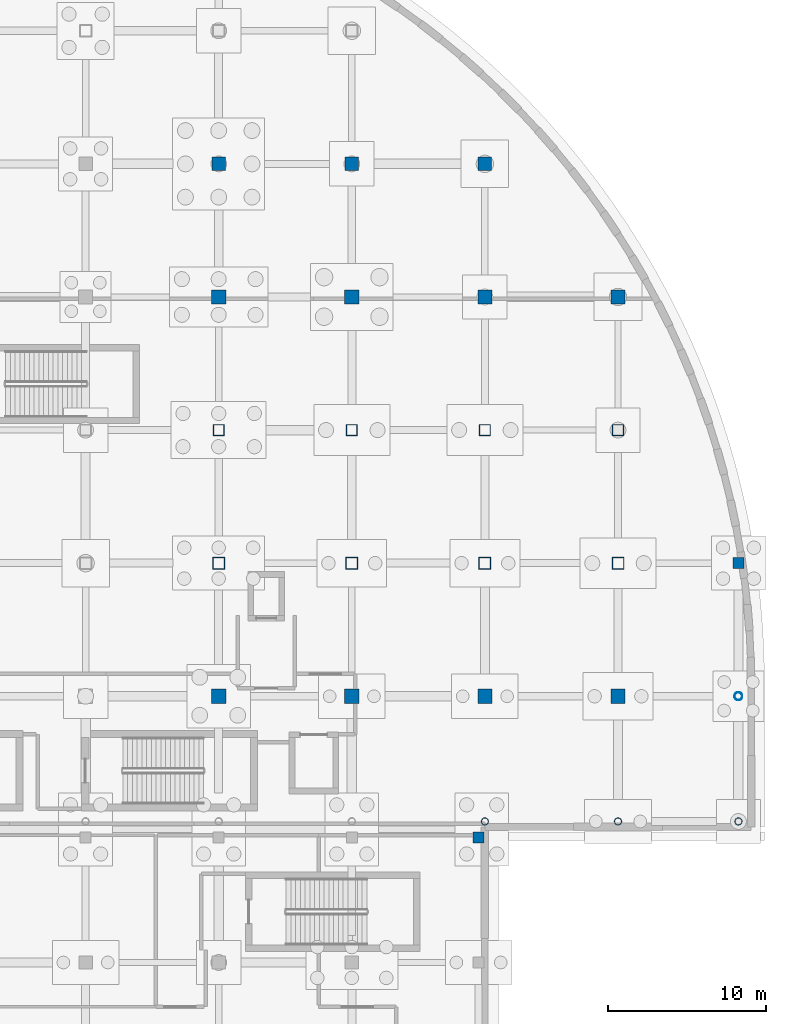
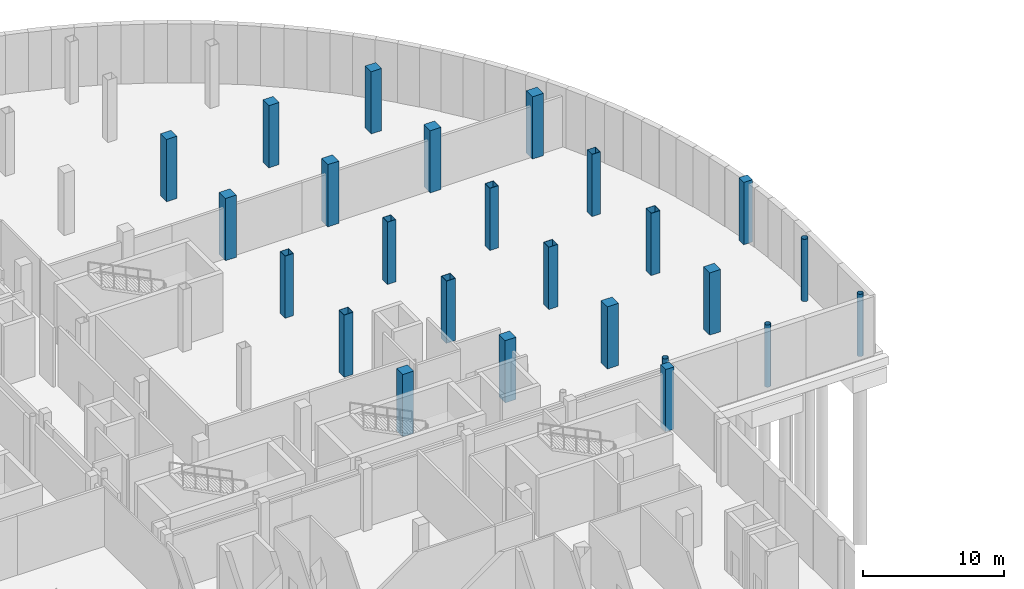
# One storey, part 19 of 49: 25 columns.
"""IFC4 building model written with IfcOpenShell, lengths in metres."""

from ifc_helpers import new_model, si_unit, direction, frame, origin, origin_2d, place, context, subcontext, project, spatial, rectangle, hollow_rectangle, hollow_circle, extrude, material, material_profile, profile_set, type_object, element, save


model = new_model("IFC4")

# Units and contexts
model_context = context("Model", 3, precision=1e-05, world=origin(), true_north=direction((0.0, 1.0)))
body_context = subcontext(model_context, "Body", "Model", "MODEL_VIEW")
ifc_project = project(units=[si_unit("LENGTHUNIT", "METRE"), si_unit("AREAUNIT", "SQUARE_METRE"), si_unit("VOLUMEUNIT", "CUBIC_METRE"), si_unit("PLANEANGLEUNIT", "RADIAN"), si_unit("MASSUNIT", "GRAM", prefix="KILO"), si_unit("THERMODYNAMICTEMPERATUREUNIT", "KELVIN")], contexts=[model_context])

# Site, building, storey
site_placement = place(None, origin())
site = spatial("IfcSite", under=ifc_project, at=site_placement, CompositionType="ELEMENT")
building_placement = place(site_placement, origin())
building = spatial("IfcBuilding", under=site, at=building_placement, Name="Lustrewick Department Store", CompositionType="ELEMENT")
storey_placement = place(building_placement, frame((0.0, 0.0, -5.39990234375)))
storey = spatial("IfcBuildingStorey", under=building, at=storey_placement, Name="B1", CompositionType="ELEMENT", Elevation=-5.39990234375)

# Columns
ifc_material_1 = material(Name="Structural steel Q355C", Category="steel")
ifc_material_profile_1 = material_profile(ifc_material_1, hollow_rectangle(XDim=0.75, YDim=0.75, WallThickness=0.028076171875, at=origin_2d()), Name="BOX 750x750x28")
ifc_profile_set_1 = profile_set([ifc_material_profile_1], Name="Structural steel Q355C")
column_type_1 = type_object("IfcColumnType", Name="C01", PredefinedType="COLUMN", material=ifc_profile_set_1)
for number, where, z_axis, x_axis, name in (
    (1, (134.39990234375, 67.199951171875, 0.0), (0.0, 0.0, 1.0), (1.0, 0.0, 0.0), "B1 V4 Column C01"),
    (2, (142.800048828125, 67.199951171875, 0.0), (0.0, 0.0, 1.0), (1.0, 0.0, 0.0), "B1 V4 Column C01"),
    (3, (151.199951171875, 67.199951171875, 0.0), (0.0, 0.0, 1.0), (1.0, 0.0, 0.0), "B1 V4 Column C01"),
    (4, (159.60009765625, 67.199951171875, 0.0), (0.0, 0.0, 1.0), (1.0, 0.0, 0.0), "B1 V4 Column C01"),
):
    element("IfcColumn", number, at=place(storey_placement, frame(where, z_axis=z_axis, x_axis=x_axis)), inside=storey, type_object=column_type_1, Name=name, PredefinedType="COLUMN", context=body_context, shape_type="SweptSolid", body=[
        extrude(hollow_rectangle(XDim=0.75, YDim=0.75, WallThickness=0.028076171875, at=origin_2d()), origin(), (0.0, 0.0, 1.0), 5.39990234375),
    ])
ifc_material_profile_2 = material_profile(ifc_material_1, hollow_rectangle(XDim=0.699951171875, YDim=0.699951171875, WallThickness=0.02587890625, at=origin_2d()), Name="BOX 700x700x26")
ifc_profile_set_2 = profile_set([ifc_material_profile_2], Name="Structural steel Q355C")
column_type_2 = type_object("IfcColumnType", Name="C02", PredefinedType="COLUMN", material=ifc_profile_set_2)
for number, where, z_axis, x_axis, name in (
    (5, (134.39990234375, 75.60009765625, 0.0), (0.0, 0.0, 1.0), (1.0, 0.0, 0.0), "B1 V4 Column C02"),
    (6, (142.800048828125, 75.60009765625, 0.0), (0.0, 0.0, 1.0), (1.0, 0.0, 0.0), "B1 V4 Column C02"),
    (7, (151.199951171875, 75.60009765625, 0.0), (0.0, 0.0, 1.0), (1.0, 0.0, 0.0), "B1 V4 Column C02"),
    (8, (159.60009765625, 75.60009765625, 0.0), (0.0, 0.0, 1.0), (1.0, 0.0, 0.0), "B1 V4 Column C02"),
):
    element("IfcColumn", number, at=place(storey_placement, frame(where, z_axis=z_axis, x_axis=x_axis)), inside=storey, type_object=column_type_2, Name=name, PredefinedType="COLUMN", context=body_context, shape_type="SweptSolid", body=[
        extrude(hollow_rectangle(XDim=0.699951171875, YDim=0.699951171875, WallThickness=0.02587890625, at=origin_2d()), origin(), (0.0, 0.0, 1.0), 5.39990234375),
    ])
ifc_material_2 = material(Name="Concrete C50", Category="concrete")
ifc_material_profile_3 = material_profile(ifc_material_2, rectangle(XDim=0.89990234375, YDim=0.89990234375, at=origin_2d()), Name="RC 900x900")
ifc_profile_set_3 = profile_set([ifc_material_profile_3], Name="Concrete C50")
column_type_3 = type_object("IfcColumnType", Name="C17", PredefinedType="COLUMN", material=ifc_profile_set_3)
for number, where, z_axis, x_axis, name in (
    (9, (134.39990234375, 58.800048828125, 0.0), (0.0, 0.0, 1.0), (1.0, 0.0, 0.0), "B1 V4 Column C17"),
    (10, (134.39990234375, 84.0, 0.0), (0.0, 0.0, 1.0), (1.0, 0.0, 0.0), "B1 V4 Column C17"),
    (11, (142.800048828125, 58.800048828125, 0.0), (0.0, 0.0, 1.0), (1.0, 0.0, 0.0), "B1 V4 Column C17"),
    (12, (142.800048828125, 84.0, 0.0), (0.0, 0.0, 1.0), (1.0, 0.0, 0.0), "B1 V4 Column C17"),
    (13, (151.199951171875, 58.800048828125, 0.0), (0.0, 0.0, 1.0), (1.0, 0.0, 0.0), "B1 V4 Column C17"),
    (14, (151.199951171875, 84.0, 0.0), (0.0, 0.0, 1.0), (1.0, 0.0, 0.0), "B1 V4 Column C17"),
    (15, (159.60009765625, 58.800048828125, 0.0), (0.0, 0.0, 1.0), (1.0, 0.0, 0.0), "B1 V4 Column C17"),
    (16, (159.60009765625, 84.0, 0.0), (0.0, 0.0, 1.0), (1.0, 0.0, 0.0), "B1 V4 Column C17"),
):
    element("IfcColumn", number, at=place(storey_placement, frame(where, z_axis=z_axis, x_axis=x_axis)), inside=storey, type_object=column_type_3, Name=name, PredefinedType="COLUMN", context=body_context, shape_type="SweptSolid", body=[
        extrude(rectangle(XDim=0.89990234375, YDim=0.89990234375, at=origin_2d()), origin(), (0.0, 0.0, 1.0), 5.39990234375),
    ])
ifc_material_profile_4 = material_profile(ifc_material_2, rectangle(XDim=0.85009765625, YDim=0.85009765625, at=origin_2d()), Name="RC 850x850")
ifc_profile_set_4 = profile_set([ifc_material_profile_4], Name="Concrete C50")
column_type_4 = type_object("IfcColumnType", Name="C18", PredefinedType="COLUMN", material=ifc_profile_set_4)
for number, where, z_axis, x_axis, name in (
    (17, (134.39990234375, 92.39990234375, 0.0), (0.0, 0.0, 1.0), (1.0, 0.0, 0.0), "B1 V4 Column C18"),
    (18, (142.800048828125, 92.39990234375, 0.0), (0.0, 0.0, 1.0), (1.0, 0.0, 0.0), "B1 V4 Column C18"),
    (19, (151.199951171875, 92.39990234375, 0.0), (0.0, 0.0, 1.0), (1.0, 0.0, 0.0), "B1 V4 Column C18"),
):
    element("IfcColumn", number, at=place(storey_placement, frame(where, z_axis=z_axis, x_axis=x_axis)), inside=storey, type_object=column_type_4, Name=name, PredefinedType="COLUMN", context=body_context, shape_type="SweptSolid", body=[
        extrude(rectangle(XDim=0.85009765625, YDim=0.85009765625, at=origin_2d()), origin(), (0.0, 0.0, 1.0), 5.39990234375),
    ])
ifc_material_profile_5 = material_profile(ifc_material_1, hollow_circle(Radius=0.25390625, WallThickness=0.01611328125, at=origin_2d()), Name="CHS 508x16")
ifc_profile_set_5 = profile_set([ifc_material_profile_5], Name="Structural steel Q355C")
column_type_5 = type_object("IfcColumnType", Name="CE01", PredefinedType="COLUMN", material=ifc_profile_set_5)
column_placement = place(storey_placement, frame((167.199951171875, 58.800048828125, 0.0), z_axis=(0.0, 0.0, 1.0), x_axis=(1.0, 0.0, 0.0)))
element("IfcColumn", 20, at=column_placement, inside=storey, type_object=column_type_5, Name="B1 V4 Column CE01", PredefinedType="COLUMN", context=body_context, shape_type="SweptSolid", body=[
    extrude(hollow_circle(Radius=0.25390625, WallThickness=0.01611328125, at=origin_2d()), origin(), (0.0, 0.0, 1.0), 5.39990234375),
])
ifc_material_profile_6 = material_profile(ifc_material_1, hollow_circle(Radius=0.228515625, WallThickness=0.01611328125, at=origin_2d()), Name="CHS 457x16")
ifc_profile_set_6 = profile_set([ifc_material_profile_6], Name="Structural steel Q355C")
column_type_6 = type_object("IfcColumnType", Name="CE02", PredefinedType="COLUMN", material=ifc_profile_set_6)
for number, where, z_axis, x_axis, name in (
    (21, (151.199951171875, 50.89990234375, 0.0), (0.0, 0.0, 1.0), (1.0, 0.0, 0.0), "B1 V4 Column CE02"),
    (22, (159.60009765625, 50.89990234375, 0.0), (0.0, 0.0, 1.0), (1.0, 0.0, 0.0), "B1 V4 Column CE02"),
    (23, (167.199951171875, 50.89990234375, 0.0), (0.0, 0.0, 1.0), (1.0, 0.0, 0.0), "B1 V4 Column CE02"),
):
    element("IfcColumn", number, at=place(storey_placement, frame(where, z_axis=z_axis, x_axis=x_axis)), inside=storey, type_object=column_type_6, Name=name, PredefinedType="COLUMN", context=body_context, shape_type="SweptSolid", body=[
        extrude(hollow_circle(Radius=0.228515625, WallThickness=0.01611328125, at=origin_2d()), origin(), (0.0, 0.0, 1.0), 5.39990234375),
    ])
ifc_material_3 = material(Name="Concrete C40", Category="concrete")
ifc_material_profile_7 = material_profile(ifc_material_3, rectangle(XDim=0.699951171875, YDim=0.699951171875, at=origin_2d()), Name="RC 700x700")
ifc_profile_set_7 = profile_set([ifc_material_profile_7], Name="Concrete C40")
column_type_7 = type_object("IfcColumnType", Name="CE06", PredefinedType="COLUMN", material=ifc_profile_set_7)
for number, where, z_axis, x_axis, name in (
    (24, (150.800048828125, 49.89990234375, 0.0), (0.0, 0.0, 1.0), (1.0, 0.0, 0.0), "B1 V3 Column CE06"),
    (25, (167.199951171875, 67.199951171875, 0.0), (0.0, 0.0, 1.0), (1.0, 0.0, 0.0), "B1 V4 Column CE06"),
):
    element("IfcColumn", number, at=place(storey_placement, frame(where, z_axis=z_axis, x_axis=x_axis)), inside=storey, type_object=column_type_7, Name=name, PredefinedType="COLUMN", context=body_context, shape_type="SweptSolid", body=[
        extrude(rectangle(XDim=0.699951171875, YDim=0.699951171875, at=origin_2d()), origin(), (0.0, 0.0, 1.0), 5.39990234375),
    ])

save(model, "model.ifc")
